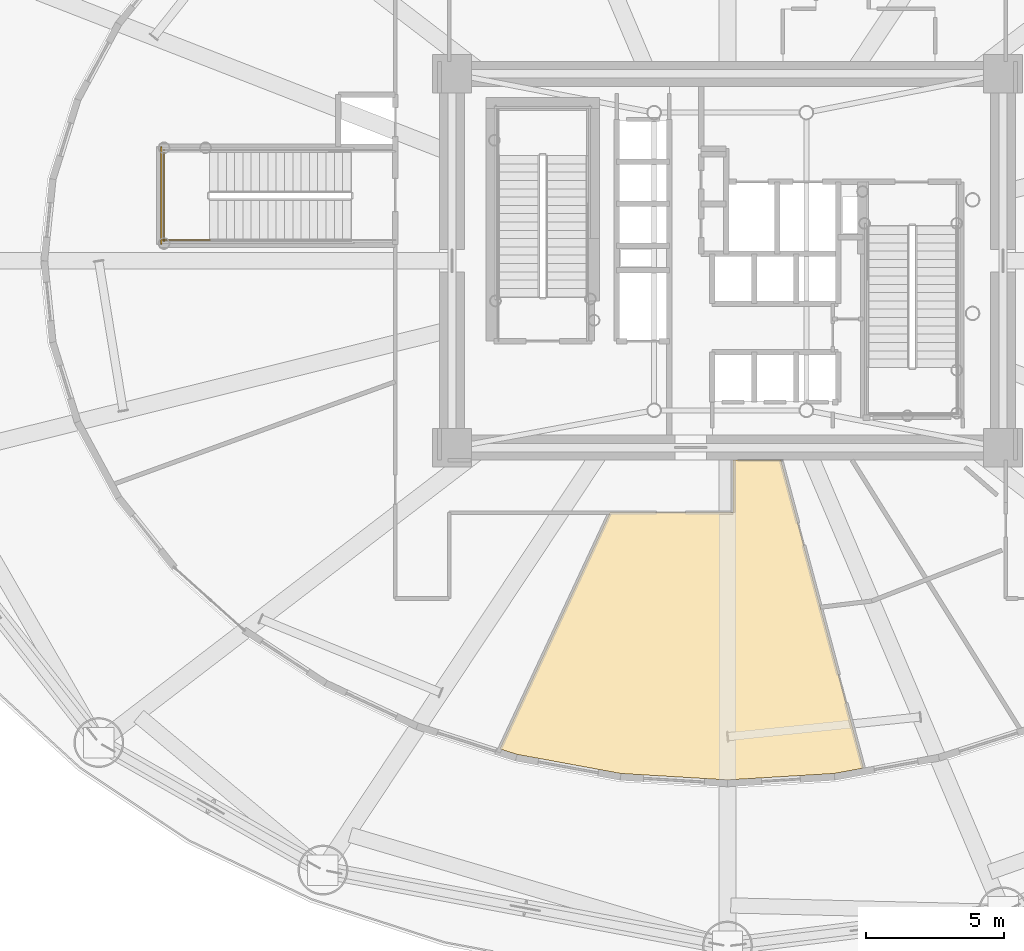
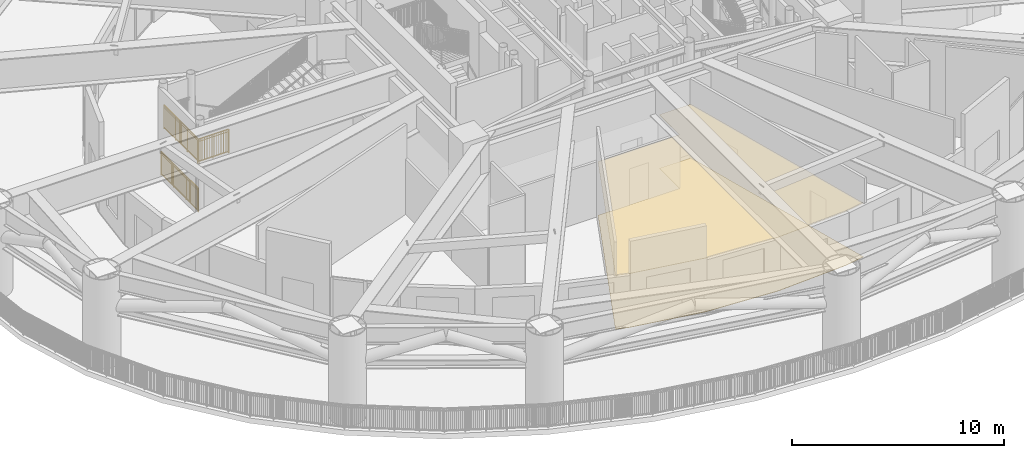
# One storey, part 27 of 39: 3 railings, 2 coverings.
"""IFC4 building model written with IfcOpenShell, lengths in metres."""

from ifc_helpers import new_model, si_unit, direction, frame, origin, origin_2d, place, context, subcontext, project, spatial, polyline, rectangle, outline, extrude, source, transform, mapped, material, layer, layer_set, type_object, element, save


model = new_model("IFC4")

# Units and contexts
model_context = context("Model", 3, precision=1e-05, world=origin(), true_north=direction((0.0, 1.0)))
body_context = subcontext(model_context, "Body", "Model", "MODEL_VIEW")
ifc_project = project(units=[si_unit("LENGTHUNIT", "METRE"), si_unit("AREAUNIT", "SQUARE_METRE"), si_unit("VOLUMEUNIT", "CUBIC_METRE"), si_unit("PLANEANGLEUNIT", "RADIAN"), si_unit("MASSUNIT", "GRAM", prefix="KILO")], contexts=[model_context])

# Site, building, storey
site_placement = place(None, origin())
site = spatial("IfcSite", under=ifc_project, at=site_placement, CompositionType="ELEMENT")
building_placement = place(site_placement, origin())
building = spatial("IfcBuilding", under=site, at=building_placement, Name="Linh Dai School and Residence Tower", CompositionType="ELEMENT")
storey_placement = place(building_placement, frame((0.0, 0.0, 27.0)))
storey = spatial("IfcBuildingStorey", under=building, at=storey_placement, Name="L06", CompositionType="ELEMENT", Elevation=27.0)

# Coverings
ifc_material_1 = material(Name="Mineral Fibre Acoustic Suspended Ceiling", Category="masonry")
ifc_layer_1 = layer(ifc_material_1, 0.02001953125)
ifc_layer_set_1 = layer_set([ifc_layer_1], Name="Mineral Fibre Acoustic Suspended Ceiling")
covering_type_1 = type_object("IfcCoveringType", Name="COV-CEIL-AC-20", PredefinedType="CEILING", material=ifc_layer_set_1)
covering_1_placement = place(storey_placement, frame((0.0, 0.0, 3.10009765625)))
element("IfcCovering", 1, at=covering_1_placement, inside=storey, type_object=covering_type_1, Name="L06 Play-Deck Milk and Juice Pantry Suspended Ceiling", PredefinedType="CEILING", context=body_context, shape_type="SweptSolid", body=[
    extrude(outline(polyline([(39.849609375, 8.482177734375), (36.0, 8.25), (32.150390625, 8.482177734375), (28.396728515625, 9.172607421875), (27.7783203125, 9.36865234375), (31.756591796875, 17.89990234375), (36.199951171875, 17.89990234375), (36.199951171875, 19.800048828125), (37.92919921875, 19.800048828125), (40.90966796875, 8.677001953125), (39.849609375, 8.482177734375)])), origin(), (0.0, 0.0, 1.0), 0.02001953125),
])
ifc_material_2 = material(Name="Polished Terrazzo Floor Finish", Category="masonry")
ifc_layer_2 = layer(ifc_material_2, 0.02490234375)
ifc_layer_set_2 = layer_set([ifc_layer_2], Name="Polished Terrazzo Floor Finish")
covering_type_2 = type_object("IfcCoveringType", Name="COV-FLR-TRZ-25", PredefinedType="FLOORING", material=ifc_layer_set_2)
covering_2_placement = place(storey_placement, origin())
element("IfcCovering", 2, at=covering_2_placement, inside=storey, type_object=covering_type_2, Name="L06 Play-Deck Milk and Juice Pantry Floor Finish", PredefinedType="FLOORING", context=body_context, shape_type="SweptSolid", body=[
    extrude(outline(polyline([(39.849609375, 8.482177734375), (36.0, 8.25), (32.150390625, 8.482177734375), (28.396728515625, 9.172607421875), (27.7783203125, 9.36865234375), (31.756591796875, 17.89990234375), (36.199951171875, 17.89990234375), (36.199951171875, 19.800048828125), (37.92919921875, 19.800048828125), (40.90966796875, 8.677001953125), (39.849609375, 8.482177734375)])), origin(), (0.0, 0.0, 1.0), 0.02001953125),
])

# Railings
ifc_material_3 = material(Name="Structural Steel S355JR", Category="steel")
railing_type = type_object("IfcRailingType", Name="RL-ST-GUARD-1400", PredefinedType="GUARDRAIL", material=ifc_material_3)
shared_shape_1 = source(origin(), body_context, "Body", "SweptSolid", [
    extrude(rectangle(XDim=0.048095703125, YDim=0.048095703125, at=origin_2d()), frame((0.0, 0.0, 1.3759765625), z_axis=(0.0, -1.0, 0.0), x_axis=(1.0, 0.0, 0.0)), (0.0, 0.0, 1.0), 3.300048828125),
    extrude(rectangle(XDim=0.048095703125, YDim=0.048095703125, at=origin_2d()), frame((0.0, 0.0, 0.10009765625), z_axis=(0.0, -1.0, 0.0), x_axis=(1.0, 0.0, 0.0)), (0.0, 0.0, 1.0), 3.300048828125),
    extrude(rectangle(XDim=0.030029296875, YDim=0.030029296875, at=origin_2d()), frame((0.0, 0.0, 1.239990234375), z_axis=(0.0, -1.0, 0.0), x_axis=(1.0, 0.0, 0.0)), (0.0, 0.0, 1.0), 3.300048828125),
    extrude(rectangle(XDim=0.02001953125, YDim=0.02001953125, at=origin_2d()), frame((0.0, -0.09716796875, 0.10009765625)), (0.0, 0.0, 1.0), 1.251708984375),
    extrude(rectangle(XDim=0.02001953125, YDim=0.02001953125, at=origin_2d()), frame((0.0, -0.194091796875, 0.10009765625)), (0.0, 0.0, 1.0), 1.251708984375),
    extrude(rectangle(XDim=0.02001953125, YDim=0.02001953125, at=origin_2d()), frame((0.0, -0.291259765625, 0.10009765625)), (0.0, 0.0, 1.0), 1.251708984375),
    extrude(rectangle(XDim=0.02001953125, YDim=0.02001953125, at=origin_2d()), frame((0.0, -0.38818359375, 0.10009765625)), (0.0, 0.0, 1.0), 1.251708984375),
    extrude(rectangle(XDim=0.02001953125, YDim=0.02001953125, at=origin_2d()), frame((0.0, -0.4853515625, 0.10009765625)), (0.0, 0.0, 1.0), 1.251708984375),
    extrude(rectangle(XDim=0.02001953125, YDim=0.02001953125, at=origin_2d()), frame((0.0, -0.582275390625, 0.10009765625)), (0.0, 0.0, 1.0), 1.251708984375),
    extrude(rectangle(XDim=0.02001953125, YDim=0.02001953125, at=origin_2d()), frame((0.0, -0.679443359375, 0.10009765625)), (0.0, 0.0, 1.0), 1.251708984375),
    extrude(rectangle(XDim=0.02001953125, YDim=0.02001953125, at=origin_2d()), frame((0.0, -0.7763671875, 0.10009765625)), (0.0, 0.0, 1.0), 1.251708984375),
    extrude(rectangle(XDim=0.02001953125, YDim=0.02001953125, at=origin_2d()), frame((0.0, -0.87353515625, 0.10009765625)), (0.0, 0.0, 1.0), 1.251708984375),
    extrude(rectangle(XDim=0.02001953125, YDim=0.02001953125, at=origin_2d()), frame((0.0, -0.970703125, 0.10009765625)), (0.0, 0.0, 1.0), 1.251708984375),
    extrude(rectangle(XDim=0.02001953125, YDim=0.02001953125, at=origin_2d()), frame((0.0, -1.164794921875, 0.10009765625)), (0.0, 0.0, 1.0), 1.251708984375),
    extrude(rectangle(XDim=0.02001953125, YDim=0.02001953125, at=origin_2d()), frame((0.0, -1.26171875, 0.10009765625)), (0.0, 0.0, 1.0), 1.251708984375),
    extrude(rectangle(XDim=0.02001953125, YDim=0.02001953125, at=origin_2d()), frame((0.0, -1.35888671875, 0.10009765625)), (0.0, 0.0, 1.0), 1.251708984375),
    extrude(rectangle(XDim=0.02001953125, YDim=0.02001953125, at=origin_2d()), frame((0.0, -1.455810546875, 0.10009765625)), (0.0, 0.0, 1.0), 1.251708984375),
    extrude(rectangle(XDim=0.02001953125, YDim=0.02001953125, at=origin_2d()), frame((0.0, -1.552978515625, 0.10009765625)), (0.0, 0.0, 1.0), 1.251708984375),
    extrude(rectangle(XDim=0.02001953125, YDim=0.02001953125, at=origin_2d()), frame((0.0, -1.64990234375, 0.10009765625)), (0.0, 0.0, 1.0), 1.251708984375),
    extrude(rectangle(XDim=0.02001953125, YDim=0.02001953125, at=origin_2d()), frame((0.0, -1.7470703125, 0.10009765625)), (0.0, 0.0, 1.0), 1.251708984375),
    extrude(rectangle(XDim=0.02001953125, YDim=0.02001953125, at=origin_2d()), frame((0.0, -1.84423828125, 0.10009765625)), (0.0, 0.0, 1.0), 1.251708984375),
    extrude(rectangle(XDim=0.02001953125, YDim=0.02001953125, at=origin_2d()), frame((0.0, -1.941162109375, 0.10009765625)), (0.0, 0.0, 1.0), 1.251708984375),
    extrude(rectangle(XDim=0.02001953125, YDim=0.02001953125, at=origin_2d()), frame((0.0, -2.038330078125, 0.10009765625)), (0.0, 0.0, 1.0), 1.251708984375),
    extrude(rectangle(XDim=0.02001953125, YDim=0.02001953125, at=origin_2d()), frame((0.0, -2.13525390625, 0.10009765625)), (0.0, 0.0, 1.0), 1.251708984375),
    extrude(rectangle(XDim=0.02001953125, YDim=0.02001953125, at=origin_2d()), frame((0.0, -2.329345703125, 0.10009765625)), (0.0, 0.0, 1.0), 1.251708984375),
    extrude(rectangle(XDim=0.02001953125, YDim=0.02001953125, at=origin_2d()), frame((0.0, -2.426513671875, 0.10009765625)), (0.0, 0.0, 1.0), 1.251708984375),
    extrude(rectangle(XDim=0.02001953125, YDim=0.02001953125, at=origin_2d()), frame((0.0, -2.523681640625, 0.10009765625)), (0.0, 0.0, 1.0), 1.251708984375),
    extrude(rectangle(XDim=0.02001953125, YDim=0.02001953125, at=origin_2d()), frame((0.0, -2.62060546875, 0.10009765625)), (0.0, 0.0, 1.0), 1.251708984375),
    extrude(rectangle(XDim=0.02001953125, YDim=0.02001953125, at=origin_2d()), frame((0.0, -2.7177734375, 0.10009765625)), (0.0, 0.0, 1.0), 1.251708984375),
    extrude(rectangle(XDim=0.02001953125, YDim=0.02001953125, at=origin_2d()), frame((0.0, -2.814697265625, 0.10009765625)), (0.0, 0.0, 1.0), 1.251708984375),
    extrude(rectangle(XDim=0.02001953125, YDim=0.02001953125, at=origin_2d()), frame((0.0, -2.911865234375, 0.10009765625)), (0.0, 0.0, 1.0), 1.251708984375),
    extrude(rectangle(XDim=0.02001953125, YDim=0.02001953125, at=origin_2d()), frame((0.0, -3.0087890625, 0.10009765625)), (0.0, 0.0, 1.0), 1.251708984375),
    extrude(rectangle(XDim=0.02001953125, YDim=0.02001953125, at=origin_2d()), frame((0.0, -3.10595703125, 0.10009765625)), (0.0, 0.0, 1.0), 1.251708984375),
    extrude(rectangle(XDim=0.02001953125, YDim=0.02001953125, at=origin_2d()), frame((0.0, -3.202880859375, 0.10009765625)), (0.0, 0.0, 1.0), 1.251708984375),
    extrude(rectangle(XDim=0.0419921875, YDim=0.0419921875, at=origin_2d()), origin(), (0.0, 0.0, 1.0), 1.3759765625),
    extrude(rectangle(XDim=0.0419921875, YDim=0.0419921875, at=origin_2d()), frame((0.0, -1.10009765625, 0.0)), (0.0, 0.0, 1.0), 1.3759765625),
    extrude(rectangle(XDim=0.0419921875, YDim=0.0419921875, at=origin_2d()), frame((0.0, -2.199951171875, 0.0)), (0.0, 0.0, 1.0), 1.3759765625),
    extrude(rectangle(XDim=0.0419921875, YDim=0.0419921875, at=origin_2d()), frame((0.0, -3.300048828125, 0.0)), (0.0, 0.0, 1.0), 1.3759765625),
])
railing_1_placement = place(storey_placement, frame((15.64990234375, 31.0, 2.699951171875)))
element("IfcRailing", 3, at=railing_1_placement, inside=storey, type_object=railing_type, Name="L06 STS1 stair guard 5", PredefinedType="GUARDRAIL", context=body_context, shape_type="MappedRepresentation", body=[
    mapped(shared_shape_1, transform((0.0, 0.0, 0.0), x_axis=(1.0, 0.0, 0.0), y_axis=(0.0, 1.0, 0.0), z_axis=(0.0, 0.0, 1.0), scale=1.0)),
])
shared_shape_2 = source(origin(), body_context, "Body", "SweptSolid", [
    extrude(rectangle(XDim=0.048095703125, YDim=0.048095703125, at=origin_2d()), frame((0.0, 0.0, 1.3759765625), z_axis=(0.0, -1.0, 0.0), x_axis=(1.0, 0.0, 0.0)), (0.0, 0.0, 1.0), 3.5),
    extrude(rectangle(XDim=0.048095703125, YDim=0.048095703125, at=origin_2d()), frame((0.0, 0.0, 0.10009765625), z_axis=(0.0, -1.0, 0.0), x_axis=(1.0, 0.0, 0.0)), (0.0, 0.0, 1.0), 3.5),
    extrude(rectangle(XDim=0.030029296875, YDim=0.030029296875, at=origin_2d()), frame((0.0, 0.0, 1.239990234375), z_axis=(0.0, -1.0, 0.0), x_axis=(1.0, 0.0, 0.0)), (0.0, 0.0, 1.0), 3.5),
    extrude(rectangle(XDim=0.02001953125, YDim=0.02001953125, at=origin_2d()), frame((0.0, -0.09716796875, 0.10009765625)), (0.0, 0.0, 1.0), 1.251708984375),
    extrude(rectangle(XDim=0.02001953125, YDim=0.02001953125, at=origin_2d()), frame((0.0, -0.1943359375, 0.10009765625)), (0.0, 0.0, 1.0), 1.251708984375),
    extrude(rectangle(XDim=0.02001953125, YDim=0.02001953125, at=origin_2d()), frame((0.0, -0.291748046875, 0.10009765625)), (0.0, 0.0, 1.0), 1.251708984375),
    extrude(rectangle(XDim=0.02001953125, YDim=0.02001953125, at=origin_2d()), frame((0.0, -0.388916015625, 0.10009765625)), (0.0, 0.0, 1.0), 1.251708984375),
    extrude(rectangle(XDim=0.02001953125, YDim=0.02001953125, at=origin_2d()), frame((0.0, -0.486083984375, 0.10009765625)), (0.0, 0.0, 1.0), 1.251708984375),
    extrude(rectangle(XDim=0.02001953125, YDim=0.02001953125, at=origin_2d()), frame((0.0, -0.583251953125, 0.10009765625)), (0.0, 0.0, 1.0), 1.251708984375),
    extrude(rectangle(XDim=0.02001953125, YDim=0.02001953125, at=origin_2d()), frame((0.0, -0.6806640625, 0.10009765625)), (0.0, 0.0, 1.0), 1.251708984375),
    extrude(rectangle(XDim=0.02001953125, YDim=0.02001953125, at=origin_2d()), frame((0.0, -0.77783203125, 0.10009765625)), (0.0, 0.0, 1.0), 1.251708984375),
    extrude(rectangle(XDim=0.02001953125, YDim=0.02001953125, at=origin_2d()), frame((0.0, -0.875, 0.10009765625)), (0.0, 0.0, 1.0), 1.251708984375),
    extrude(rectangle(XDim=0.02001953125, YDim=0.02001953125, at=origin_2d()), frame((0.0, -0.97216796875, 0.10009765625)), (0.0, 0.0, 1.0), 1.251708984375),
    extrude(rectangle(XDim=0.02001953125, YDim=0.02001953125, at=origin_2d()), frame((0.0, -1.0693359375, 0.10009765625)), (0.0, 0.0, 1.0), 1.251708984375),
    extrude(rectangle(XDim=0.02001953125, YDim=0.02001953125, at=origin_2d()), frame((0.0, -1.263916015625, 0.10009765625)), (0.0, 0.0, 1.0), 1.251708984375),
    extrude(rectangle(XDim=0.02001953125, YDim=0.02001953125, at=origin_2d()), frame((0.0, -1.361083984375, 0.10009765625)), (0.0, 0.0, 1.0), 1.251708984375),
    extrude(rectangle(XDim=0.02001953125, YDim=0.02001953125, at=origin_2d()), frame((0.0, -1.458251953125, 0.10009765625)), (0.0, 0.0, 1.0), 1.251708984375),
    extrude(rectangle(XDim=0.02001953125, YDim=0.02001953125, at=origin_2d()), frame((0.0, -1.5556640625, 0.10009765625)), (0.0, 0.0, 1.0), 1.251708984375),
    extrude(rectangle(XDim=0.02001953125, YDim=0.02001953125, at=origin_2d()), frame((0.0, -1.65283203125, 0.10009765625)), (0.0, 0.0, 1.0), 1.251708984375),
    extrude(rectangle(XDim=0.02001953125, YDim=0.02001953125, at=origin_2d()), frame((0.0, -1.75, 0.10009765625)), (0.0, 0.0, 1.0), 1.251708984375),
    extrude(rectangle(XDim=0.02001953125, YDim=0.02001953125, at=origin_2d()), frame((0.0, -1.84716796875, 0.10009765625)), (0.0, 0.0, 1.0), 1.251708984375),
    extrude(rectangle(XDim=0.02001953125, YDim=0.02001953125, at=origin_2d()), frame((0.0, -1.9443359375, 0.10009765625)), (0.0, 0.0, 1.0), 1.251708984375),
    extrude(rectangle(XDim=0.02001953125, YDim=0.02001953125, at=origin_2d()), frame((0.0, -2.041748046875, 0.10009765625)), (0.0, 0.0, 1.0), 1.251708984375),
    extrude(rectangle(XDim=0.02001953125, YDim=0.02001953125, at=origin_2d()), frame((0.0, -2.138916015625, 0.10009765625)), (0.0, 0.0, 1.0), 1.251708984375),
    extrude(rectangle(XDim=0.02001953125, YDim=0.02001953125, at=origin_2d()), frame((0.0, -2.236083984375, 0.10009765625)), (0.0, 0.0, 1.0), 1.251708984375),
    extrude(rectangle(XDim=0.02001953125, YDim=0.02001953125, at=origin_2d()), frame((0.0, -2.4306640625, 0.10009765625)), (0.0, 0.0, 1.0), 1.251708984375),
    extrude(rectangle(XDim=0.02001953125, YDim=0.02001953125, at=origin_2d()), frame((0.0, -2.52783203125, 0.10009765625)), (0.0, 0.0, 1.0), 1.251708984375),
    extrude(rectangle(XDim=0.02001953125, YDim=0.02001953125, at=origin_2d()), frame((0.0, -2.625, 0.10009765625)), (0.0, 0.0, 1.0), 1.251708984375),
    extrude(rectangle(XDim=0.02001953125, YDim=0.02001953125, at=origin_2d()), frame((0.0, -2.72216796875, 0.10009765625)), (0.0, 0.0, 1.0), 1.251708984375),
    extrude(rectangle(XDim=0.02001953125, YDim=0.02001953125, at=origin_2d()), frame((0.0, -2.8193359375, 0.10009765625)), (0.0, 0.0, 1.0), 1.251708984375),
    extrude(rectangle(XDim=0.02001953125, YDim=0.02001953125, at=origin_2d()), frame((0.0, -2.916748046875, 0.10009765625)), (0.0, 0.0, 1.0), 1.251708984375),
    extrude(rectangle(XDim=0.02001953125, YDim=0.02001953125, at=origin_2d()), frame((0.0, -3.013916015625, 0.10009765625)), (0.0, 0.0, 1.0), 1.251708984375),
    extrude(rectangle(XDim=0.02001953125, YDim=0.02001953125, at=origin_2d()), frame((0.0, -3.111083984375, 0.10009765625)), (0.0, 0.0, 1.0), 1.251708984375),
    extrude(rectangle(XDim=0.02001953125, YDim=0.02001953125, at=origin_2d()), frame((0.0, -3.208251953125, 0.10009765625)), (0.0, 0.0, 1.0), 1.251708984375),
    extrude(rectangle(XDim=0.02001953125, YDim=0.02001953125, at=origin_2d()), frame((0.0, -3.3056640625, 0.10009765625)), (0.0, 0.0, 1.0), 1.251708984375),
    extrude(rectangle(XDim=0.02001953125, YDim=0.02001953125, at=origin_2d()), frame((0.0, -3.40283203125, 0.10009765625)), (0.0, 0.0, 1.0), 1.251708984375),
    extrude(rectangle(XDim=0.0419921875, YDim=0.0419921875, at=origin_2d()), origin(), (0.0, 0.0, 1.0), 1.3759765625),
    extrude(rectangle(XDim=0.0419921875, YDim=0.0419921875, at=origin_2d()), frame((0.0, -1.166748046875, 0.0)), (0.0, 0.0, 1.0), 1.3759765625),
    extrude(rectangle(XDim=0.0419921875, YDim=0.0419921875, at=origin_2d()), frame((0.0, -2.333251953125, 0.0)), (0.0, 0.0, 1.0), 1.3759765625),
    extrude(rectangle(XDim=0.0419921875, YDim=0.0419921875, at=origin_2d()), frame((0.0, -3.5, 0.0)), (0.0, 0.0, 1.0), 1.3759765625),
])
railing_2_placement = place(storey_placement, frame((15.550048828125, 31.10009765625, 0.0)))
element("IfcRailing", 4, at=railing_2_placement, inside=storey, type_object=railing_type, Name="L06 STS1 stair guard 12", PredefinedType="GUARDRAIL", context=body_context, shape_type="MappedRepresentation", body=[
    mapped(shared_shape_2, transform((0.0, 0.0, 0.0), x_axis=(1.0, 0.0, 0.0), y_axis=(0.0, 1.0, 0.0), z_axis=(0.0, 0.0, 1.0), scale=1.0)),
])
shared_shape_3 = source(origin(), body_context, "Body", "SweptSolid", [
    extrude(rectangle(XDim=0.048095703125, YDim=0.048095703125, at=origin_2d()), frame((0.0, 0.0, 1.3759765625), z_axis=(-1.0, 0.0, 0.0), x_axis=(0.0, -1.0, 0.0)), (0.0, 0.0, 1.0), 1.699951171875),
    extrude(rectangle(XDim=0.048095703125, YDim=0.048095703125, at=origin_2d()), frame((0.0, 0.0, 0.10009765625), z_axis=(-1.0, 0.0, 0.0), x_axis=(0.0, -1.0, 0.0)), (0.0, 0.0, 1.0), 1.699951171875),
    extrude(rectangle(XDim=0.030029296875, YDim=0.030029296875, at=origin_2d()), frame((0.0, 0.0, 1.239990234375), z_axis=(-1.0, 0.0, 0.0), x_axis=(0.0, -1.0, 0.0)), (0.0, 0.0, 1.0), 1.699951171875),
    extrude(rectangle(XDim=0.02001953125, YDim=0.02001953125, at=origin_2d()), frame((-0.094482421875, 0.0, 0.10009765625)), (0.0, 0.0, 1.0), 1.251708984375),
    extrude(rectangle(XDim=0.02001953125, YDim=0.02001953125, at=origin_2d()), frame((-0.18896484375, 0.0, 0.10009765625)), (0.0, 0.0, 1.0), 1.251708984375),
    extrude(rectangle(XDim=0.02001953125, YDim=0.02001953125, at=origin_2d()), frame((-0.283203125, 0.0, 0.10009765625)), (0.0, 0.0, 1.0), 1.251708984375),
    extrude(rectangle(XDim=0.02001953125, YDim=0.02001953125, at=origin_2d()), frame((-0.377685546875, 0.0, 0.10009765625)), (0.0, 0.0, 1.0), 1.251708984375),
    extrude(rectangle(XDim=0.02001953125, YDim=0.02001953125, at=origin_2d()), frame((-0.47216796875, 0.0, 0.10009765625)), (0.0, 0.0, 1.0), 1.251708984375),
    extrude(rectangle(XDim=0.02001953125, YDim=0.02001953125, at=origin_2d()), frame((-0.566650390625, 0.0, 0.10009765625)), (0.0, 0.0, 1.0), 1.251708984375),
    extrude(rectangle(XDim=0.02001953125, YDim=0.02001953125, at=origin_2d()), frame((-0.6611328125, 0.0, 0.10009765625)), (0.0, 0.0, 1.0), 1.251708984375),
    extrude(rectangle(XDim=0.02001953125, YDim=0.02001953125, at=origin_2d()), frame((-0.755615234375, 0.0, 0.10009765625)), (0.0, 0.0, 1.0), 1.251708984375),
    extrude(rectangle(XDim=0.02001953125, YDim=0.02001953125, at=origin_2d()), frame((-0.9443359375, 0.0, 0.10009765625)), (0.0, 0.0, 1.0), 1.251708984375),
    extrude(rectangle(XDim=0.02001953125, YDim=0.02001953125, at=origin_2d()), frame((-1.038818359375, 0.0, 0.10009765625)), (0.0, 0.0, 1.0), 1.251708984375),
    extrude(rectangle(XDim=0.02001953125, YDim=0.02001953125, at=origin_2d()), frame((-1.13330078125, 0.0, 0.10009765625)), (0.0, 0.0, 1.0), 1.251708984375),
    extrude(rectangle(XDim=0.02001953125, YDim=0.02001953125, at=origin_2d()), frame((-1.227783203125, 0.0, 0.10009765625)), (0.0, 0.0, 1.0), 1.251708984375),
    extrude(rectangle(XDim=0.02001953125, YDim=0.02001953125, at=origin_2d()), frame((-1.322265625, 0.0, 0.10009765625)), (0.0, 0.0, 1.0), 1.251708984375),
    extrude(rectangle(XDim=0.02001953125, YDim=0.02001953125, at=origin_2d()), frame((-1.41650390625, 0.0, 0.10009765625)), (0.0, 0.0, 1.0), 1.251708984375),
    extrude(rectangle(XDim=0.02001953125, YDim=0.02001953125, at=origin_2d()), frame((-1.510986328125, 0.0, 0.10009765625)), (0.0, 0.0, 1.0), 1.251708984375),
    extrude(rectangle(XDim=0.02001953125, YDim=0.02001953125, at=origin_2d()), frame((-1.60546875, 0.0, 0.10009765625)), (0.0, 0.0, 1.0), 1.251708984375),
    extrude(rectangle(XDim=0.0419921875, YDim=0.0419921875, at=origin_2d()), origin(), (0.0, 0.0, 1.0), 1.3759765625),
    extrude(rectangle(XDim=0.0419921875, YDim=0.0419921875, at=origin_2d()), frame((-0.85009765625, 0.0, 0.0)), (0.0, 0.0, 1.0), 1.3759765625),
    extrude(rectangle(XDim=0.0419921875, YDim=0.0419921875, at=origin_2d()), frame((-1.699951171875, 0.0, 0.0)), (0.0, 0.0, 1.0), 1.3759765625),
])
railing_3_placement = place(storey_placement, frame((17.300048828125, 27.75, 2.699951171875)))
element("IfcRailing", 5, at=railing_3_placement, inside=storey, type_object=railing_type, Name="L06 STS1 stair guard 4", PredefinedType="GUARDRAIL", context=body_context, shape_type="MappedRepresentation", body=[
    mapped(shared_shape_3, transform((0.0, 0.0, 0.0), x_axis=(1.0, 0.0, 0.0), y_axis=(0.0, 1.0, 0.0), z_axis=(0.0, 0.0, 1.0), scale=1.0)),
])

save(model, "model.ifc")
